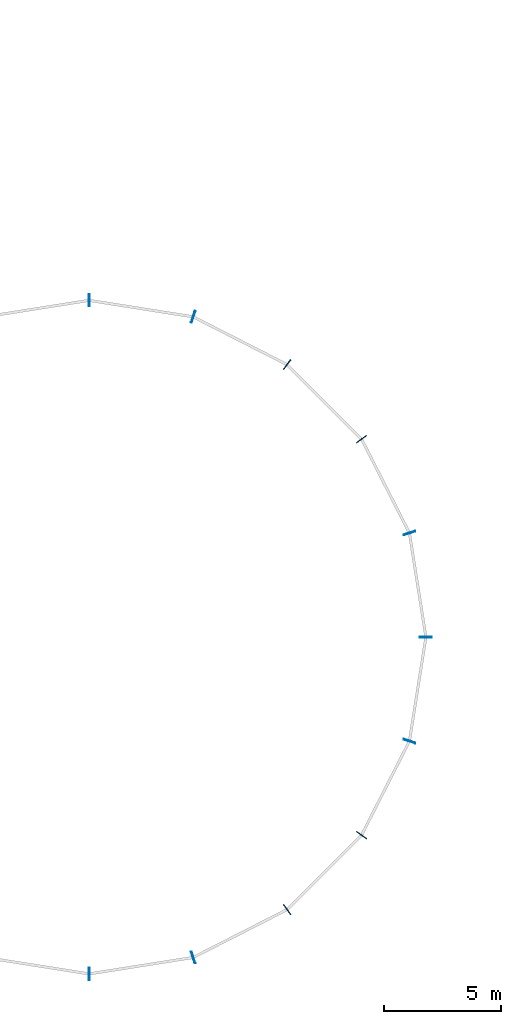
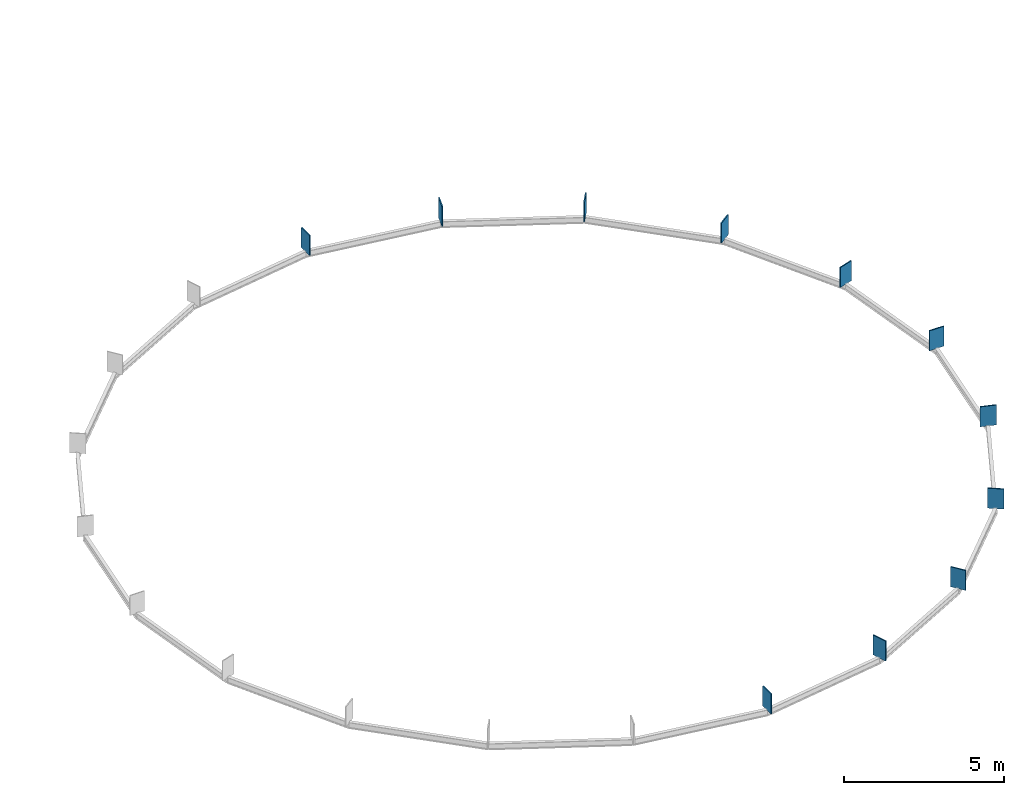
# One storey, part 18 of 36: 11 plates.
"""IFC4 building model written with IfcOpenShell, lengths in metres."""

from ifc_helpers import new_model, si_unit, direction, frame, origin, origin_2d, place, context, subcontext, project, spatial, rectangle, extrude, material, layer, layer_set, type_object, element, save


model = new_model("IFC4")

# Units and contexts
model_context = context("Model", 3, precision=1e-05, world=origin(), true_north=direction((0.0, 1.0)))
body_context = subcontext(model_context, "Body", "Model", "MODEL_VIEW")
ifc_project = project(units=[si_unit("LENGTHUNIT", "METRE"), si_unit("AREAUNIT", "SQUARE_METRE"), si_unit("VOLUMEUNIT", "CUBIC_METRE"), si_unit("PLANEANGLEUNIT", "RADIAN"), si_unit("MASSUNIT", "GRAM", prefix="KILO")], contexts=[model_context])

# Site, building, storey
site_placement = place(None, origin())
site = spatial("IfcSite", under=ifc_project, at=site_placement, CompositionType="ELEMENT")
building_placement = place(site_placement, origin())
building = spatial("IfcBuilding", under=site, at=building_placement, Name="Sefraquen Railside Congress Hotel", CompositionType="ELEMENT")
storey_placement = place(building_placement, frame((0.0, 0.0, 28.199951171875)))
storey = spatial("IfcBuildingStorey", under=building, at=storey_placement, Name="L06", CompositionType="ELEMENT", Elevation=28.199951171875)

# Plates
ifc_material = material(Name="Steel S355J2", Category="steel")
ifc_layer = layer(ifc_material, 0.0400390625)
ifc_layer_set = layer_set([ifc_layer], Name="Steel S355J2")
plate_type = type_object("IfcPlateType", Name="TP-GUS-02", PredefinedType="SHEET", material=ifc_layer_set)
for number, where, z_axis, x_axis, name in (
    (1, (78.60009765625, 27.0, -1.60009765625), (0.0, 0.0, 1.0), (1.0, 0.0, 0.0), "Dome lower ring shell stool plate 01"),
    (2, (77.895263671875, 31.44970703125, -1.60009765625), (0.0, 0.0, 1.0), (0.951056516295, 0.309016994375, 0.0), "Dome lower ring shell stool plate 02"),
    (3, (75.849853515625, 35.464111328125, -1.60009765625), (0.0, 0.0, 1.0), (0.809016994375, 0.587785252292, 0.0), "Dome lower ring shell stool plate 03"),
    (4, (72.6640625, 38.64990234375, -1.60009765625), (0.0, 0.0, 1.0), (0.587785252292, 0.809016994375, 0.0), "Dome lower ring shell stool plate 04"),
    (5, (68.64990234375, 40.6953125, -1.60009765625), (0.0, 0.0, 1.0), (0.309016994375, 0.951056516295, 0.0), "Dome lower ring shell stool plate 05"),
    (6, (64.199951171875, 41.39990234375, -1.60009765625), (0.0, 0.0, 1.0), (0.0, 1.0, 0.0), "Dome lower ring shell stool plate 06"),
    (7, (64.199951171875, 12.60009765625, -1.60009765625), (0.0, 0.0, 1.0), (0.0, -1.0, 0.0), "Dome lower ring shell stool plate 16"),
    (8, (68.64990234375, 13.3046875, -1.60009765625), (0.0, 0.0, 1.0), (0.309016994375, -0.951056516295, 0.0), "Dome lower ring shell stool plate 17"),
    (9, (72.6640625, 15.35009765625, -1.60009765625), (0.0, 0.0, 1.0), (0.587785252292, -0.809016994375, 0.0), "Dome lower ring shell stool plate 18"),
    (10, (75.849853515625, 18.535888671875, -1.60009765625), (0.0, 0.0, 1.0), (0.809016994375, -0.587785252292, 0.0), "Dome lower ring shell stool plate 19"),
    (11, (77.895263671875, 22.55029296875, -1.60009765625), (0.0, 0.0, 1.0), (0.951056516295, -0.309016994375, 0.0), "Dome lower ring shell stool plate 20"),
):
    element("IfcPlate", number, at=place(storey_placement, frame(where, z_axis=z_axis, x_axis=x_axis)), inside=storey, type_object=plate_type, Name=name, PredefinedType="SHEET", context=body_context, shape_type="SweptSolid", body=[
        extrude(rectangle(XDim=0.52001953125, YDim=0.0400390625, at=origin_2d()), origin(), (0.0, 0.0, 1.0), 0.760009765625),
    ])

save(model, "model.ifc")
